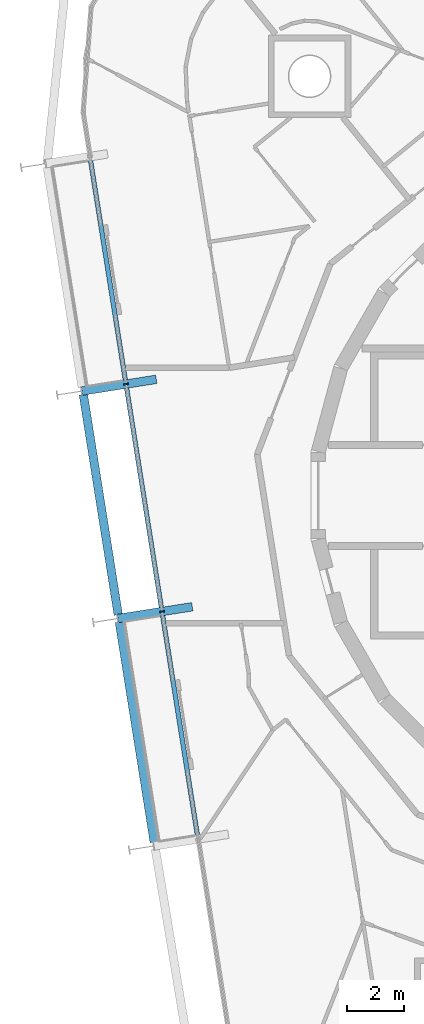
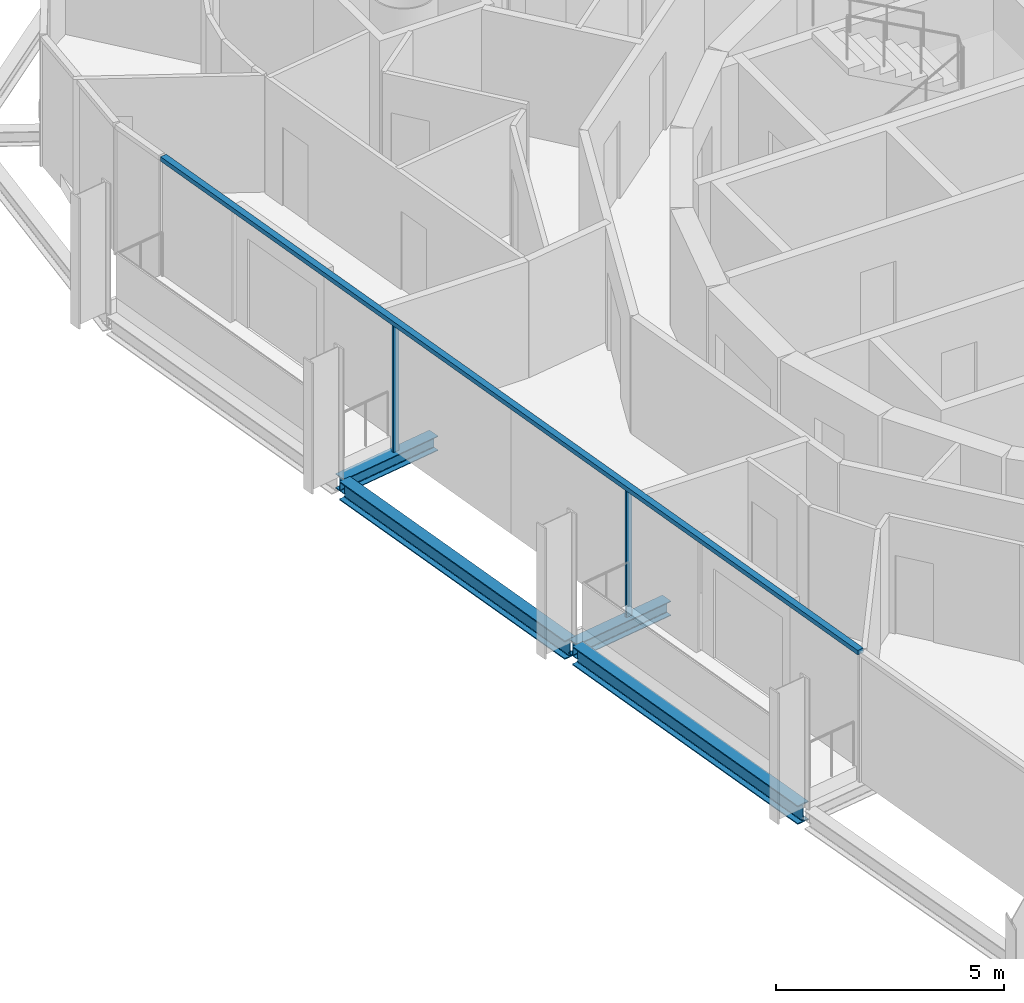
# One storey, part 3 of 18: 4 beams, 3 members, 1 element without a shape of its own.
"""IFC4 building model written with IfcOpenShell, lengths in metres."""

from ifc_helpers import new_model, si_unit, direction, frame, origin, origin_2d, place, context, subcontext, project, spatial, rectangle, i_section, extrude, material, layer, layer_set, material_profile, profile_set, type_object, element, aggregate, save


model = new_model("IFC4")

# Units and contexts
model_context = context("Model", 3, precision=1e-05, world=origin(), true_north=direction((0.0, 1.0)))
body_context = subcontext(model_context, "Body", "Model", "MODEL_VIEW")
ifc_project = project(units=[si_unit("LENGTHUNIT", "METRE"), si_unit("AREAUNIT", "SQUARE_METRE"), si_unit("VOLUMEUNIT", "CUBIC_METRE"), si_unit("PLANEANGLEUNIT", "RADIAN"), si_unit("MASSUNIT", "GRAM", prefix="KILO")], contexts=[model_context])

# Site, building, storey
site_placement = place(None, origin())
site = spatial("IfcSite", under=ifc_project, at=site_placement, CompositionType="ELEMENT")
building_placement = place(site_placement, origin())
building = spatial("IfcBuilding", under=site, at=building_placement, Name="Spindle Arch Residences", CompositionType="ELEMENT")
storey_placement = place(building_placement, frame((0.0, 0.0, 280.89990234375)))
storey = spatial("IfcBuildingStorey", under=building, at=storey_placement, Name="L72", CompositionType="ELEMENT", Elevation=280.89990234375)

# Curtain wall, members
ifc_material_1 = material(Name="Aluminium bronze unitised frame with tinted glass", Category="aluminium")
ifc_layer = layer(ifc_material_1, 0.159912109375)
ifc_layer_set = layer_set([ifc_layer], Name="CW-C typical residential unitised wall")
curtain_wall_type = type_object("IfcCurtainWallType", Name="CW-C typical residential unitised wall", PredefinedType="NOTDEFINED", material=ifc_layer_set)
curtain_wall_placement = place(storey_placement, origin())
curtain_wall = element("IfcCurtainWall", 1, at=curtain_wall_placement, inside=storey, type_object=curtain_wall_type, Name="CW-C L72 run 4", PredefinedType="NOTDEFINED")
ifc_material_2 = material(Name="Aluminium bronze anodised mullion", Category="aluminium")
ifc_material_profile_1 = material_profile(ifc_material_2, rectangle(XDim=0.159912109375, YDim=0.06005859375, at=origin_2d()), Name="MU 60x160")
ifc_profile_set_1 = profile_set([ifc_material_profile_1], Name="Aluminium bronze anodised mullion")
member_type_1 = type_object("IfcMemberType", Name="Bronze mullion 60x160", PredefinedType="MULLION", material=ifc_profile_set_1)
member_1_placement = place(storey_placement, frame((-18.417236328125, 3.923583984375, -0.3798828125), z_axis=(0.0, 0.0, 1.0), x_axis=(0.987688340595, 0.15643446504, 0.0)))
member_1 = element("IfcMember", 2, at=member_1_placement, type_object=member_type_1, Name="CW-C mullion 12", PredefinedType="MULLION", context=body_context, shape_type="SweptSolid", body=[
    extrude(rectangle(XDim=0.159912109375, YDim=0.06005859375, at=origin_2d()), origin(), (0.0, 0.0, 1.0), 3.3798828125),
])
member_2_placement = place(storey_placement, frame((-17.14892578125, -4.084228515625, -0.3798828125), z_axis=(0.0, 0.0, 1.0), x_axis=(0.987688340595, 0.15643446504, 0.0)))
member_2 = element("IfcMember", 3, at=member_2_placement, type_object=member_type_1, Name="CW-C mullion 13", PredefinedType="MULLION", context=body_context, shape_type="SweptSolid", body=[
    extrude(rectangle(XDim=0.159912109375, YDim=0.06005859375, at=origin_2d()), origin(), (0.0, 0.0, 1.0), 3.3798828125),
])
ifc_material_3 = material(Name="Aluminium bronze anodised transom", Category="aluminium")
ifc_material_profile_2 = material_profile(ifc_material_3, rectangle(XDim=0.159912109375, YDim=0.1201171875, at=origin_2d()), Name="TR 120x160")
ifc_profile_set_2 = profile_set([ifc_material_profile_2], Name="Aluminium bronze anodised transom")
member_type_2 = type_object("IfcMemberType", Name="Bronze transom 120x160", PredefinedType="USERDEFINED", material=ifc_profile_set_2)
member_3_placement = place(storey_placement, frame((-19.6806640625, 11.901611328125, 3.06005859375), z_axis=(0.156430704214, -0.987688936244, 0.0), x_axis=(0.987688936244, 0.156430704214, 0.0)))
member_3 = element("IfcMember", 4, at=member_3_placement, type_object=member_type_2, Name="CW-C transom 00", ObjectType="TRANSOM", PredefinedType="USERDEFINED", context=body_context, shape_type="SweptSolid", body=[
    extrude(rectangle(XDim=0.159912109375, YDim=0.1201171875, at=origin_2d()), origin(), (0.0, 0.0, 1.0), 24.262451171875),
])
aggregate(curtain_wall, [member_3, member_1, member_2])

# Beams
ifc_material_4 = material(Name="Steel S460ML, intumescent coating R 120", Category="steel")
ifc_material_profile_3 = material_profile(ifc_material_4, i_section(OverallWidth=0.300048828125, OverallDepth=0.5, WebThickness=0.014404296875, FlangeThickness=0.028076171875, FilletRadius=0.027099609375, at=origin_2d()), Name="HEB 500")
ifc_profile_set_3 = profile_set([ifc_material_profile_3], Name="Steel S460ML, intumescent coating R 120")
beam_type_1 = type_object("IfcBeamType", Name="Exoskeleton edge beam HEB 500", PredefinedType="BEAM", material=ifc_profile_set_3)
for number, where, z_axis, x_axis, name in (
    (5, (-19.91796875, 3.55419921875, -0.6298828125), (0.156453001738, -0.987685404492, 0.0), (0.987685404492, 0.156453001738, 0.0), "Exoskeleton edge beam 13"),
    (6, (-18.6494140625, -4.45361328125, -0.6298828125), (0.156422652856, -0.987690211389, 0.0), (0.987690211389, 0.156422652856, 0.0), "Exoskeleton edge beam 14"),
):
    element("IfcBeam", number, at=place(storey_placement, frame(where, z_axis=z_axis, x_axis=x_axis)), inside=storey, type_object=beam_type_1, Name=name, PredefinedType="BEAM", context=body_context, shape_type="SweptSolid", body=[
        extrude(i_section(OverallWidth=0.300048828125, OverallDepth=0.5, WebThickness=0.014404296875, FlangeThickness=0.028076171875, FilletRadius=0.027099609375, at=origin_2d()), origin(), (0.0, 0.0, 1.0), 7.84765625),
    ])
ifc_material_5 = material(Name="Steel S460ML, intumescent coating R 120", Category="steel")
ifc_material_profile_4 = material_profile(ifc_material_5, i_section(OverallWidth=0.300048828125, OverallDepth=0.389892578125, WebThickness=0.010986328125, FlangeThickness=0.01904296875, FilletRadius=0.027099609375, at=origin_2d()), Name="HEA 400")
ifc_profile_set_4 = profile_set([ifc_material_profile_4], Name="Steel S460ML, intumescent coating R 120")
beam_type_2 = type_object("IfcBeamType", Name="Floor outrigger HEA 400", PredefinedType="BEAM", material=ifc_profile_set_4)
beam_1_placement = place(storey_placement, frame((-19.9677734375, 3.677978515625, -0.574951171875), z_axis=(0.987686649348, 0.156445142779, 0.0), x_axis=(-0.156445142779, 0.987686649348, 0.0)))
element("IfcBeam", 7, at=beam_1_placement, inside=storey, type_object=beam_type_2, Name="Floor outrigger 13", PredefinedType="BEAM", context=body_context, shape_type="SweptSolid", body=[
    extrude(i_section(OverallWidth=0.300048828125, OverallDepth=0.389892578125, WebThickness=0.010986328125, FlangeThickness=0.01904296875, FilletRadius=0.027099609375, at=origin_2d()), origin(), (0.0, 0.0, 1.0), 2.64990234375),
])
beam_2_placement = place(storey_placement, frame((-18.699462890625, -4.329833984375, -0.574951171875), z_axis=(0.987688904051, 0.156430907479, 0.0), x_axis=(-0.156430907479, 0.987688904051, 0.0)))
element("IfcBeam", 8, at=beam_2_placement, inside=storey, type_object=beam_type_2, Name="Floor outrigger 14", PredefinedType="BEAM", context=body_context, shape_type="SweptSolid", body=[
    extrude(i_section(OverallWidth=0.300048828125, OverallDepth=0.389892578125, WebThickness=0.010986328125, FlangeThickness=0.01904296875, FilletRadius=0.027099609375, at=origin_2d()), origin(), (0.0, 0.0, 1.0), 2.650146484375),
])

save(model, "model.ifc")
